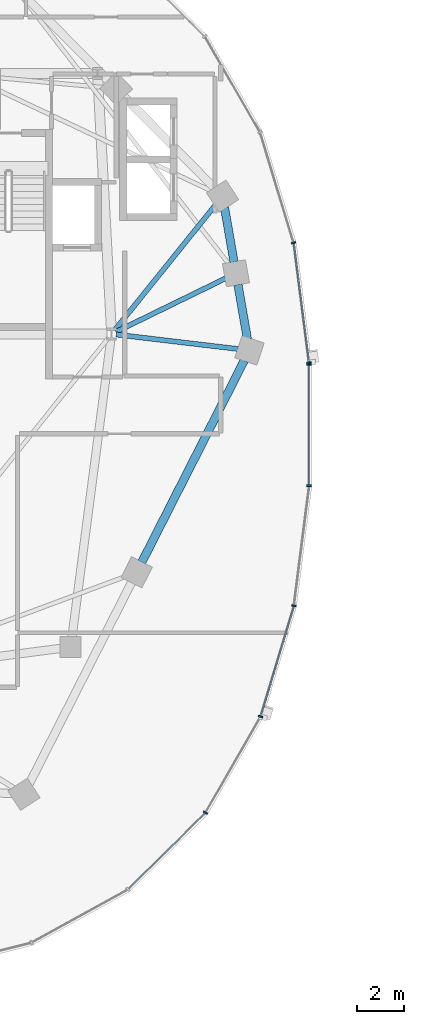
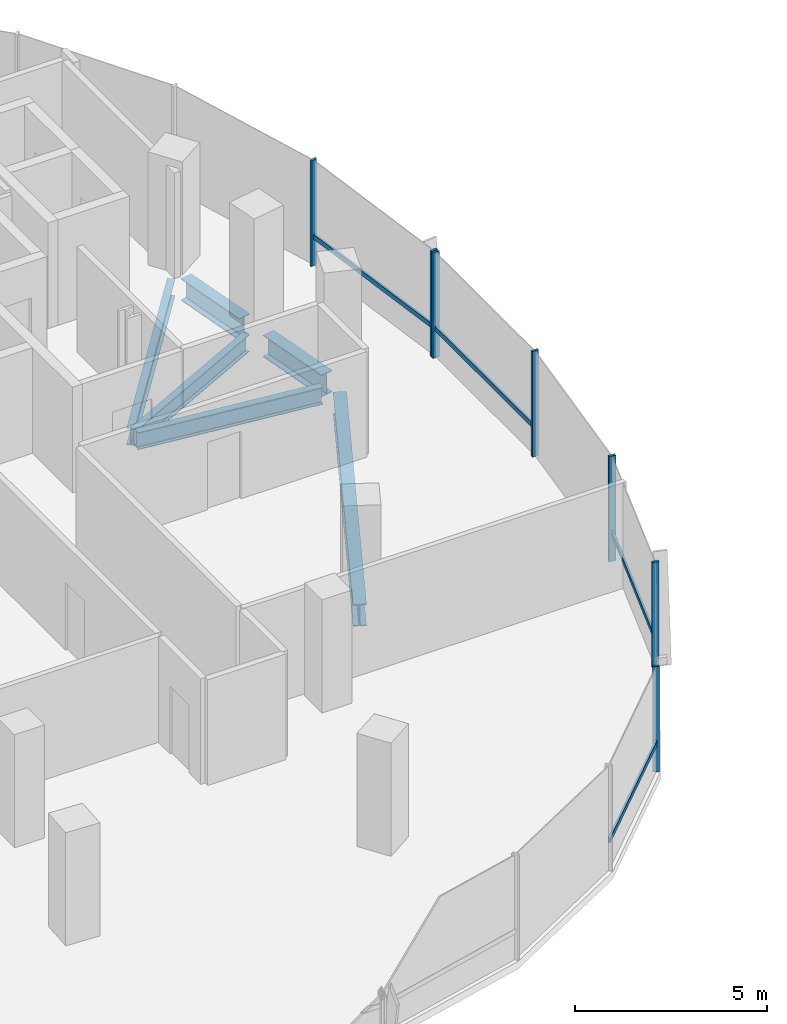
# One storey, part 4 of 22: 11 members, 6 beams, 2 elements without a shape of their own.
"""IFC4 building model written with IfcOpenShell, lengths in metres."""

from ifc_helpers import new_model, si_unit, direction, frame, origin, origin_2d, place, context, subcontext, project, spatial, rectangle, i_section, extrude, material, material_profile, profile_set, type_object, element, aggregate, save


model = new_model("IFC4")

# Units and contexts
model_context = context("Model", 3, precision=1e-05, world=origin(), true_north=direction((0.0, 1.0)))
body_context = subcontext(model_context, "Body", "Model", "MODEL_VIEW")
ifc_project = project(units=[si_unit("LENGTHUNIT", "METRE"), si_unit("AREAUNIT", "SQUARE_METRE"), si_unit("VOLUMEUNIT", "CUBIC_METRE"), si_unit("PLANEANGLEUNIT", "RADIAN"), si_unit("MASSUNIT", "GRAM", prefix="KILO"), si_unit("THERMODYNAMICTEMPERATUREUNIT", "KELVIN"), si_unit("POWERUNIT", "WATT")], contexts=[model_context])

# Site, building, storey
site_placement = place(None, origin())
site = spatial("IfcSite", under=ifc_project, at=site_placement, CompositionType="ELEMENT")
building_placement = place(site_placement, origin())
building = spatial("IfcBuilding", under=site, at=building_placement, Name="Cundina Bronze Exchange", CompositionType="ELEMENT")
storey_placement = place(building_placement, frame((0.0, 0.0, 158.39990234375)))
storey = spatial("IfcBuildingStorey", under=building, at=storey_placement, Name="L41", CompositionType="ELEMENT", Elevation=158.39990234375)

# Beams
ifc_material_1 = material(Name="Steel ASTM A992 Grade 50", Category="steel")
ifc_material_profile_1 = material_profile(ifc_material_1, i_section(OverallWidth=0.2119140625, OverallDepth=0.5439453125, WebThickness=0.01318359375, FlangeThickness=0.021240234375, FilletRadius=0.013916015625, at=origin_2d()), Name="W21X83", Category="steel")
ifc_profile_set_1 = profile_set([ifc_material_profile_1], Name="Steel ASTM A992 Grade 50")
beam_type_1 = type_object("IfcBeamType", Name="BM-FLR-W21A", PredefinedType="BEAM", material=ifc_profile_set_1)
beam_1_placement = place(storey_placement, frame((-21.247314453125, 3.8759765625, -0.511962890625), z_axis=(0.993036158382, -0.11780996624, 0.0), x_axis=(0.11780996624, 0.993036158382, 0.0)))
element("IfcBeam", 1, at=beam_1_placement, inside=storey, type_object=beam_type_1, Name="L41 Leg W Radial Floor Beam 00", PredefinedType="BEAM", context=body_context, shape_type="SweptSolid", body=[
    extrude(i_section(OverallWidth=0.2119140625, OverallDepth=0.5439453125, WebThickness=0.01318359375, FlangeThickness=0.021240234375, FilletRadius=0.013916015625, at=origin_2d()), origin(), (0.0, 0.0, 1.0), 5.249267578125),
])
beam_2_placement = place(storey_placement, frame((-21.2666015625, 3.989501953125, -0.511962890625), z_axis=(0.898604300669, 0.438759969481, 0.0), x_axis=(-0.438759969481, 0.898604300669, 0.0)))
element("IfcBeam", 2, at=beam_2_placement, inside=storey, type_object=beam_type_1, Name="L41 Leg W Radial Floor Beam 01", PredefinedType="BEAM", context=body_context, shape_type="SweptSolid", body=[
    extrude(i_section(OverallWidth=0.2119140625, OverallDepth=0.5439453125, WebThickness=0.01318359375, FlangeThickness=0.021240234375, FilletRadius=0.013916015625, at=origin_2d()), origin(), (0.0, 0.0, 1.0), 5.23388671875),
])
beam_3_placement = place(storey_placement, frame((-21.322021484375, 4.058837890625, -0.511962890625), z_axis=(0.627088684379, 0.778947868553, 0.0), x_axis=(-0.778947868553, 0.627088684379, 0.0)))
element("IfcBeam", 3, at=beam_3_placement, inside=storey, type_object=beam_type_1, Name="L41 Leg W Radial Floor Beam 02", PredefinedType="BEAM", context=body_context, shape_type="SweptSolid", body=[
    extrude(i_section(OverallWidth=0.2119140625, OverallDepth=0.5439453125, WebThickness=0.01318359375, FlangeThickness=0.021240234375, FilletRadius=0.013916015625, at=origin_2d()), origin(), (0.0, 0.0, 1.0), 6.882568359375),
])
ifc_material_profile_2 = material_profile(ifc_material_1, i_section(OverallWidth=0.35498046875, OverallDepth=0.695068359375, WebThickness=0.015380859375, FlangeThickness=0.02490234375, FilletRadius=0.01806640625, at=origin_2d()), Name="W27X146", Category="steel")
ifc_profile_set_2 = profile_set([ifc_material_profile_2], Name="Steel ASTM A992 Grade 50")
beam_type_2 = type_object("IfcBeamType", Name="BM-RING-W27", PredefinedType="USERDEFINED", material=ifc_profile_set_2)
for number, where, z_axis, x_axis, name in (
    (4, (-15.6337890625, 3.680908203125, -0.58740234375), (-0.171666718895, 0.985155083032, 0.0), (-0.985155083032, -0.171666718895, 0.0), "L41 W Perimeter Ring Girder 00"),
    (5, (-16.208740234375, 6.980712890625, -0.58740234375), (-0.171666718895, 0.985155083032, 0.0), (-0.985155083032, -0.171666718895, 0.0), "L41 W Perimeter Ring Girder 01"),
):
    element("IfcBeam", number, at=place(storey_placement, frame(where, z_axis=z_axis, x_axis=x_axis)), inside=storey, type_object=beam_type_2, Name=name, ObjectType="GIRDER", PredefinedType="USERDEFINED", context=body_context, shape_type="SweptSolid", body=[
        extrude(i_section(OverallWidth=0.35498046875, OverallDepth=0.695068359375, WebThickness=0.015380859375, FlangeThickness=0.02490234375, FilletRadius=0.01806640625, at=origin_2d()), origin(), (0.0, 0.0, 1.0), 2.37353515625),
    ])
beam_4_placement = place(storey_placement, frame((-20.154052734375, -5.864990234375, -0.58740234375), z_axis=(0.452834585354, 0.891594548159, 0.0), x_axis=(-0.891594548159, 0.452834585354, 0.0)))
element("IfcBeam", 6, at=beam_4_placement, inside=storey, type_object=beam_type_2, Name="L41 W Perimeter Ring Girder 13", ObjectType="GIRDER", PredefinedType="USERDEFINED", context=body_context, shape_type="SweptSolid", body=[
    extrude(i_section(OverallWidth=0.35498046875, OverallDepth=0.695068359375, WebThickness=0.015380859375, FlangeThickness=0.02490234375, FilletRadius=0.01806640625, at=origin_2d()), origin(), (0.0, 0.0, 1.0), 9.67919921875),
])

# Curtain wall, members
ifc_material_2 = material(Name="Anodised Bronze Aluminium 6063-T6", Category="aluminium")
curtain_wall_type = type_object("IfcCurtainWallType", Name="CWS-WST-PIN", PredefinedType="NOTDEFINED", material=ifc_material_2)
curtain_wall_1_placement = place(storey_placement, origin())
curtain_wall_1 = element("IfcCurtainWall", 7, at=curtain_wall_1_placement, inside=storey, type_object=curtain_wall_type, Name="L41 CW-04 Curtain Wall Run CWR-L41-W1", PredefinedType="NOTDEFINED")
ifc_material_profile_3 = material_profile(ifc_material_2, rectangle(XDim=0.070068359375, YDim=0.18994140625, at=origin_2d()), Name="AL70X190", Category="aluminium")
ifc_profile_set_3 = profile_set([ifc_material_profile_3], Name="Anodised Bronze Aluminium 6063-T6")
member_type_1 = type_object("IfcMemberType", Name="CWM-MUL-190", PredefinedType="MULLION", material=ifc_profile_set_3)
member_1_placement = place(storey_placement, frame((-12.998291015625, 2.676025390625, 0.0), z_axis=(0.0, 0.0, 1.0), x_axis=(-0.126545236492, 0.991960837494, 0.0)))
member_1 = element("IfcMember", 8, at=member_1_placement, type_object=member_type_1, Name="CW-04 Mullion 1", PredefinedType="MULLION", context=body_context, shape_type="SweptSolid", body=[
    extrude(rectangle(XDim=0.070068359375, YDim=0.18994140625, at=origin_2d()), origin(), (0.0, 0.0, 1.0), 3.360107421875),
])
member_2_placement = place(storey_placement, frame((-13.6591796875, 7.80859375, 0.0), z_axis=(0.0, 0.0, 1.0), x_axis=(-0.290034140915, 0.957016299288, 0.0)))
member_2 = element("IfcMember", 9, at=member_2_placement, type_object=member_type_1, Name="CW-04 Mullion 2", PredefinedType="MULLION", context=body_context, shape_type="SweptSolid", body=[
    extrude(rectangle(XDim=0.070068359375, YDim=0.18994140625, at=origin_2d()), origin(), (0.0, 0.0, 1.0), 3.360107421875),
])

curtain_wall_2_placement = place(storey_placement, origin())
curtain_wall_2 = element("IfcCurtainWall", 10, at=curtain_wall_2_placement, inside=storey, type_object=curtain_wall_type, Name="L41 CW-04 Curtain Wall Run CWR-L41-W4", PredefinedType="NOTDEFINED")
member_3_placement = place(storey_placement, frame((-17.42919921875, -16.588134765625, 0.0), z_axis=(0.0, 0.0, 1.0), x_axis=(0.498487739754, 0.866896748936, 0.0)))
member_3 = element("IfcMember", 11, at=member_3_placement, type_object=member_type_1, Name="CW-04 Mullion 4", PredefinedType="MULLION", context=body_context, shape_type="SweptSolid", body=[
    extrude(rectangle(XDim=0.070068359375, YDim=0.18994140625, at=origin_2d()), origin(), (0.0, 0.0, 1.0), 3.360107421875),
])
member_4_placement = place(storey_placement, frame((-15.07373046875, -12.4755859375, 0.0), z_axis=(0.0, 0.0, 1.0), x_axis=(0.290034140915, 0.957016299288, 0.0)))
member_4 = element("IfcMember", 12, at=member_4_placement, type_object=member_type_1, Name="CW-04 Mullion 5", PredefinedType="MULLION", context=body_context, shape_type="SweptSolid", body=[
    extrude(rectangle(XDim=0.070068359375, YDim=0.18994140625, at=origin_2d()), origin(), (0.0, 0.0, 1.0), 3.360107421875),
])
member_5_placement = place(storey_placement, frame((-13.642822265625, -7.731689453125, 0.0), z_axis=(0.0, 0.0, 1.0), x_axis=(0.126545236492, 0.991960837494, 0.0)))
member_5 = element("IfcMember", 13, at=member_5_placement, type_object=member_type_1, Name="CW-04 Mullion 6", PredefinedType="MULLION", context=body_context, shape_type="SweptSolid", body=[
    extrude(rectangle(XDim=0.070068359375, YDim=0.18994140625, at=origin_2d()), origin(), (0.0, 0.0, 1.0), 3.360107421875),
])
member_6_placement = place(storey_placement, frame((-12.992919921875, -2.593017578125, 0.0), z_axis=(0.0, 0.0, 1.0), x_axis=(0.0, 1.0, 0.0)))
member_6 = element("IfcMember", 14, at=member_6_placement, type_object=member_type_1, Name="CW-04 Mullion 7", PredefinedType="MULLION", context=body_context, shape_type="SweptSolid", body=[
    extrude(rectangle(XDim=0.070068359375, YDim=0.18994140625, at=origin_2d()), origin(), (0.0, 0.0, 1.0), 3.360107421875),
])
member_7_placement = place(storey_placement, frame((-12.992919921875, 2.593017578125, 0.0), z_axis=(0.0, 0.0, 1.0), x_axis=(0.0, 1.0, 0.0)))
member_7 = element("IfcMember", 15, at=member_7_placement, type_object=member_type_1, Name="CW-04 End Mullion", PredefinedType="MULLION", context=body_context, shape_type="SweptSolid", body=[
    extrude(rectangle(XDim=0.070068359375, YDim=0.18994140625, at=origin_2d()), origin(), (0.0, 0.0, 1.0), 3.360107421875),
])

# Member
ifc_material_profile_4 = material_profile(ifc_material_2, rectangle(XDim=0.06494140625, YDim=0.14990234375, at=origin_2d()), Name="AL65X150", Category="aluminium")
ifc_profile_set_4 = profile_set([ifc_material_profile_4], Name="Anodised Bronze Aluminium 6063-T6")
member_type_2 = type_object("IfcMemberType", Name="CWM-TRN-150", PredefinedType="USERDEFINED", material=ifc_profile_set_4)
member_8_placement = place(storey_placement, frame((-13.003173828125, 2.71435546875, 0.920166015625), z_axis=(-0.12646340362, 0.991971273548, 0.0), x_axis=(-0.991971273548, -0.12646340362, 0.0)))
member_8 = element("IfcMember", 16, at=member_8_placement, type_object=member_type_2, Name="CW-04 Spandrel Transom 1", ObjectType="TRANSOM", PredefinedType="USERDEFINED", context=body_context, shape_type="SweptSolid", body=[
    extrude(rectangle(XDim=0.06494140625, YDim=0.14990234375, at=origin_2d()), origin(), (0.0, 0.0, 1.0), 5.0966796875),
])

aggregate(curtain_wall_1, [member_1, member_8, member_2])

member_9_placement = place(storey_placement, frame((-20.71337890625, -19.839599609375, 0.920166015625), z_axis=(0.712005023839, 0.702174370102, 0.0), x_axis=(-0.702174370102, 0.712005023839, 0.0)))
member_9 = element("IfcMember", 17, at=member_9_placement, type_object=member_type_2, Name="CW-04 Spandrel Transom 3", ObjectType="TRANSOM", PredefinedType="USERDEFINED", context=body_context, shape_type="SweptSolid", body=[
    extrude(rectangle(XDim=0.06494140625, YDim=0.14990234375, at=origin_2d()), origin(), (0.0, 0.0, 1.0), 4.594482421875),
])

member_10_placement = place(storey_placement, frame((-15.062744140625, -12.43896484375, 0.920166015625), z_axis=(0.290051855969, 0.957010930371, 0.0), x_axis=(-0.957010930371, 0.290051855969, 0.0)))
member_10 = element("IfcMember", 18, at=member_10_placement, type_object=member_type_2, Name="CW-04 Spandrel Transom 5", ObjectType="TRANSOM", PredefinedType="USERDEFINED", context=body_context, shape_type="SweptSolid", body=[
    extrude(rectangle(XDim=0.06494140625, YDim=0.14990234375, at=origin_2d()), origin(), (0.0, 0.0, 1.0), 4.876953125),
])

member_11_placement = place(storey_placement, frame((-12.992919921875, -2.554443359375, 0.920166015625), z_axis=(0.0, 1.0, 0.0), x_axis=(-1.0, 0.0, 0.0)))
member_11 = element("IfcMember", 19, at=member_11_placement, type_object=member_type_2, Name="CW-04 Spandrel Transom 7", ObjectType="TRANSOM", PredefinedType="USERDEFINED", context=body_context, shape_type="SweptSolid", body=[
    extrude(rectangle(XDim=0.06494140625, YDim=0.14990234375, at=origin_2d()), origin(), (0.0, 0.0, 1.0), 5.10888671875),
])

aggregate(curtain_wall_2, [member_9, member_3, member_4, member_10, member_5, member_6, member_7, member_11])

save(model, "model.ifc")
